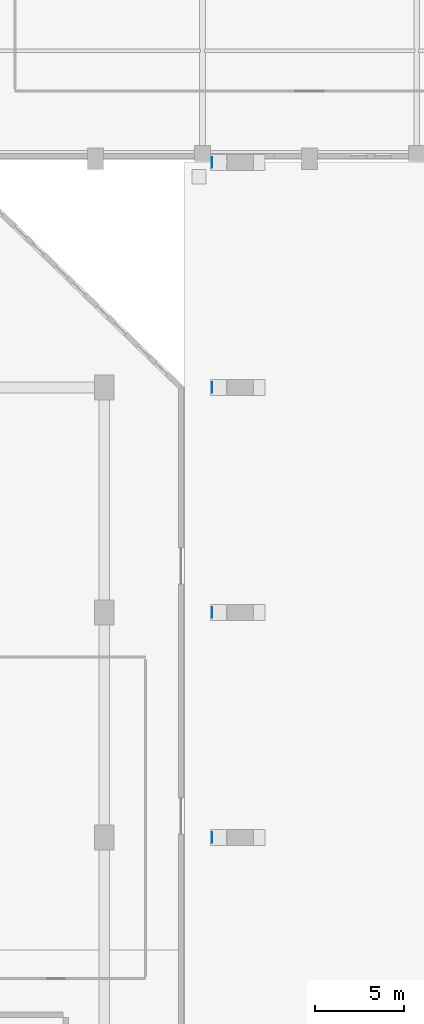
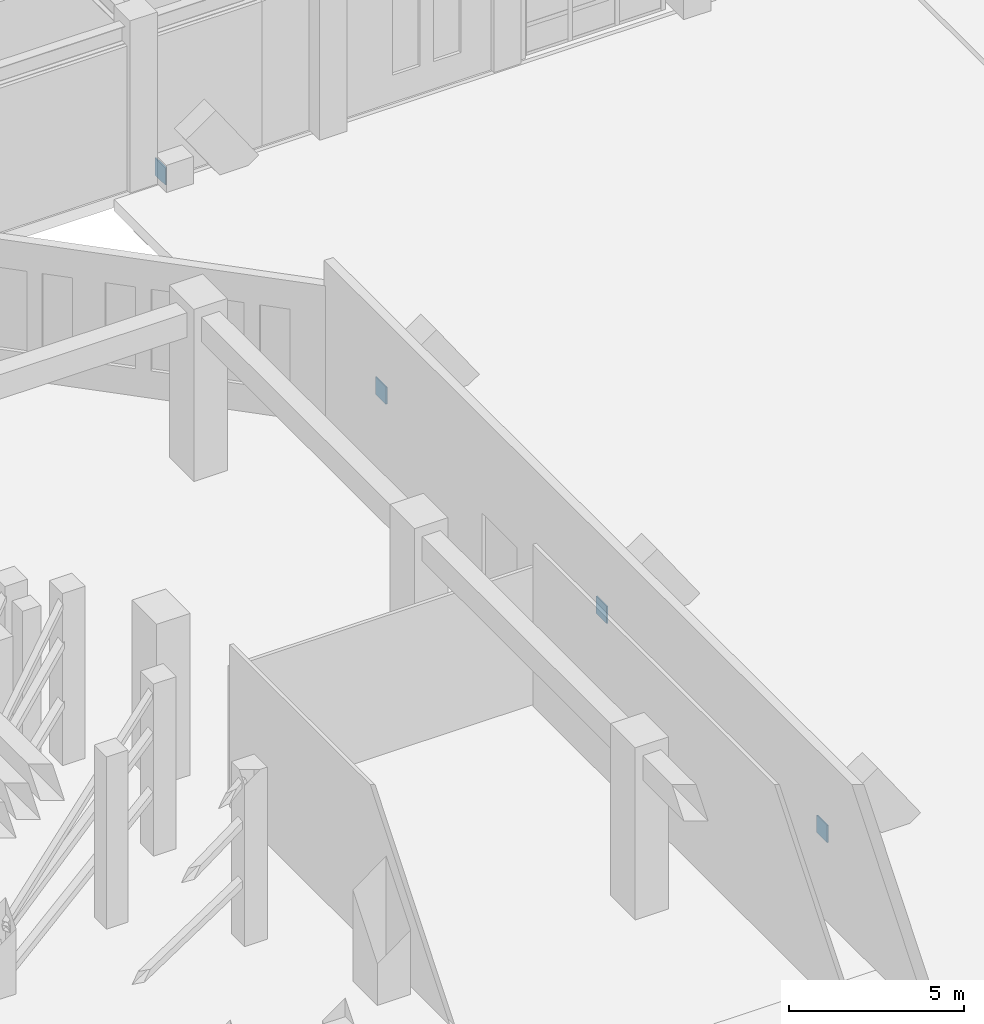
# One storey, part 100 of 143: 4 plates.
"""IFC4 building model written with IfcOpenShell, lengths in metres."""

from ifc_helpers import new_model, si_unit, derived_unit, direction, frame, origin, origin_2d, place, context, subcontext, project, spatial, rectangle, extrude, material, layer, layer_set, type_object, element, save


model = new_model("IFC4")

# Units and contexts
model_context = context("Model", 3, precision=1e-05, world=origin(), true_north=direction((0.0, 1.0)))
body_context = subcontext(model_context, "Body", "Model", "MODEL_VIEW")
ifc_project = project(units=[si_unit("LENGTHUNIT", "METRE"), si_unit("AREAUNIT", "SQUARE_METRE"), si_unit("VOLUMEUNIT", "CUBIC_METRE"), si_unit("PLANEANGLEUNIT", "RADIAN"), si_unit("MASSUNIT", "GRAM", prefix="KILO"), derived_unit("THERMALTRANSMITTANCEUNIT", [(si_unit("MASSUNIT", "GRAM", prefix="KILO"), 1), (si_unit("TIMEUNIT", "SECOND"), -3), (si_unit("THERMODYNAMICTEMPERATUREUNIT", "KELVIN"), -1)])], contexts=[model_context])

# Site, building, storey
site_placement = place(None, origin())
site = spatial("IfcSite", under=ifc_project, at=site_placement, CompositionType="ELEMENT")
building_placement = place(site_placement, origin())
building = spatial("IfcBuilding", under=site, at=building_placement, Name="Valcora Ridge Arena", CompositionType="ELEMENT")
storey_placement = place(building_placement, origin())
storey = spatial("IfcBuildingStorey", under=building, at=storey_placement, Name="L00", CompositionType="ELEMENT", Elevation=0.0)

# Plates
ifc_material = material(Name="Steel ASTM A572 Grade 50", Category="steel")
ifc_layer = layer(ifc_material, 0.044921875, Name="Steel ASTM A572 Grade 50")
ifc_layer_set = layer_set([ifc_layer], Name="Steel ASTM A572 Grade 50")
plate_type = type_object("IfcPlateType", Name="TY-PLATE-PL-CAP-550E", PredefinedType="USERDEFINED", material=ifc_layer_set)
for number, where, z_axis, x_axis, name in (
    (1, (108.533935546875, 70.39990234375, 0.14990234375), (0.0, 0.0, 1.0), (1.0, 0.0, 0.0), "PL-CAP-550E SF-CP-0015"),
    (2, (108.533935546875, 83.0, 0.14990234375), (0.0, 0.0, 1.0), (1.0, 0.0, 0.0), "PL-CAP-550E SF-CP-0018"),
    (3, (108.533935546875, 95.60009765625, 0.14990234375), (0.0, 0.0, 1.0), (1.0, 0.0, 0.0), "PL-CAP-550E SF-CP-0021"),
    (4, (108.533935546875, 108.199951171875, 0.14990234375), (0.0, 0.0, 1.0), (1.0, 0.0, 0.0), "PL-CAP-550E SF-CP-0024"),
):
    element("IfcPlate", number, at=place(storey_placement, frame(where, z_axis=z_axis, x_axis=x_axis)), inside=storey, type_object=plate_type, Name=name, ObjectType="GUSSET_PLATE", PredefinedType="USERDEFINED", context=body_context, shape_type="SweptSolid", body=[
        extrude(rectangle(XDim=0.044921875, YDim=0.60009765625, at=origin_2d()), origin(), (0.0, 0.0, 1.0), 0.60009765625),
    ])

save(model, "model.ifc")
